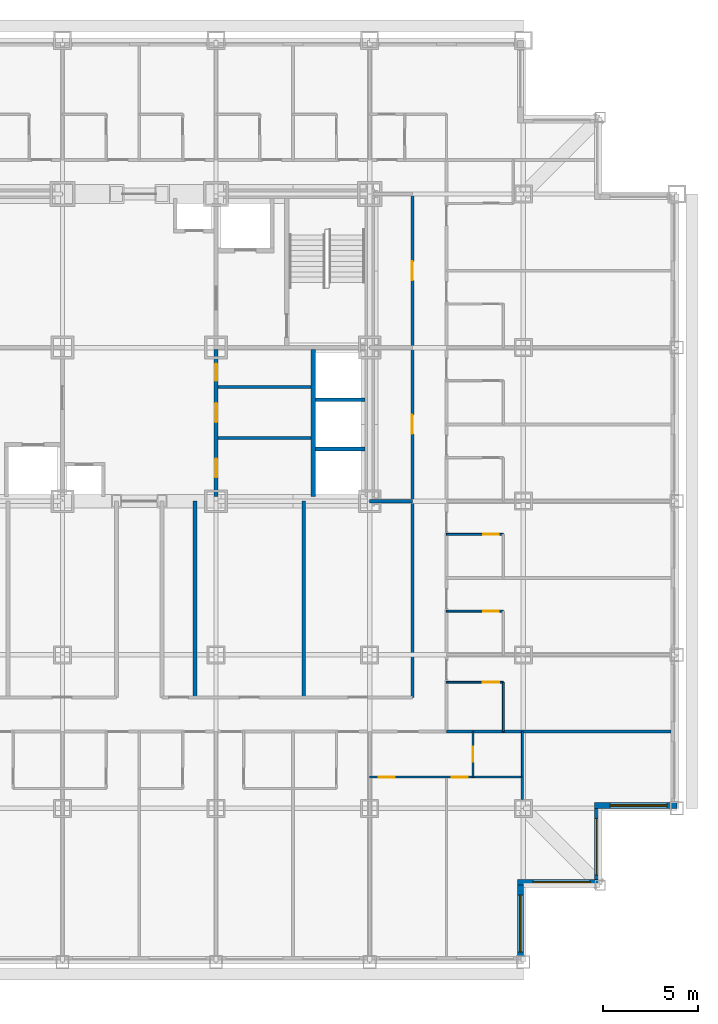
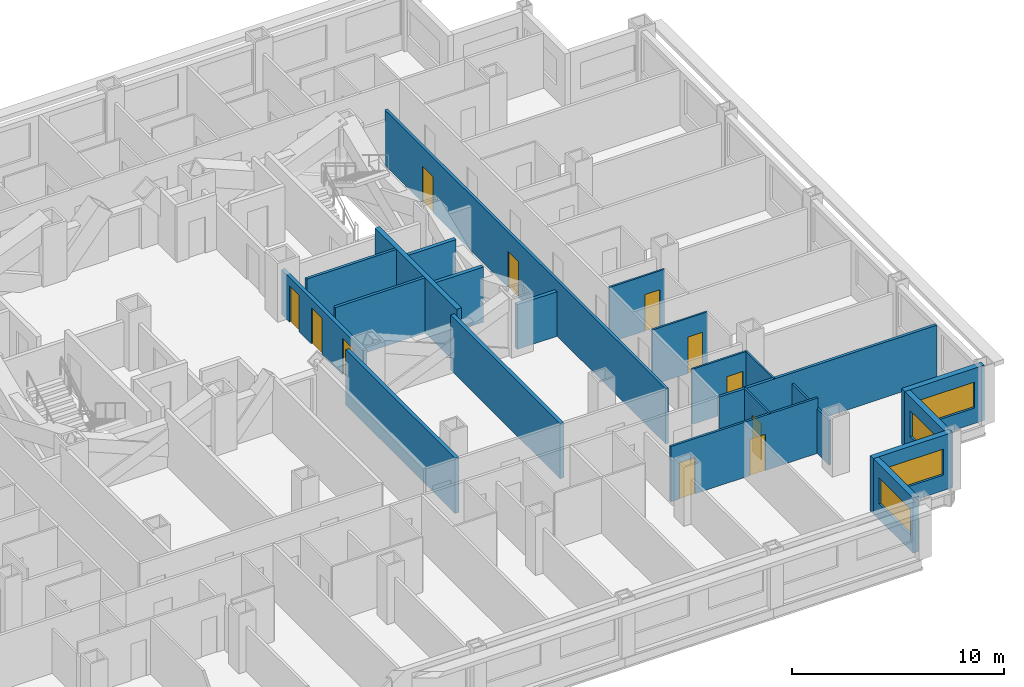
# One storey, part 6 of 11: 23 walls, 11 doors, 4 windows, 15 openings.
"""IFC4 building model written with IfcOpenShell, lengths in metres."""

from ifc_helpers import new_model, si_unit, direction, frame, frame_2d, origin, place, context, subcontext, project, spatial, rectangle, extrude, material, layer, layer_set, type_object, element, fill, save


model = new_model("IFC4")

# Units and contexts
model_context = context("Model", 3, precision=1e-05, world=origin(), true_north=direction((0.0, 1.0)))
body_context = subcontext(model_context, "Body", "Model", "MODEL_VIEW")
ifc_project = project(units=[si_unit("LENGTHUNIT", "METRE"), si_unit("AREAUNIT", "SQUARE_METRE"), si_unit("VOLUMEUNIT", "CUBIC_METRE"), si_unit("PLANEANGLEUNIT", "RADIAN"), si_unit("MASSUNIT", "GRAM", prefix="KILO")], contexts=[model_context])

# Site, building, storey
site_placement = place(None, origin())
site = spatial("IfcSite", under=ifc_project, at=site_placement, CompositionType="ELEMENT")
building_placement = place(site_placement, origin())
building = spatial("IfcBuilding", under=site, at=building_placement, Name="Kopane Lantern Tower", CompositionType="ELEMENT")
storey_placement = place(building_placement, frame((0.0, 0.0, 56.800048828125)))
storey = spatial("IfcBuildingStorey", under=building, at=storey_placement, Name="L13", CompositionType="ELEMENT", Elevation=56.800048828125)

# Wall, openings, doors
ifc_material_1 = material(Name="Gypsum board on steel studs", Category="steel")
ifc_layer_1 = layer(ifc_material_1, 0.1201171875)
ifc_layer_set_1 = layer_set([ifc_layer_1], Name="APARTMENT INTERNAL WALL 120")
wall_type_1 = type_object("IfcWallType", Name="APARTMENT INTERNAL WALL 120", PredefinedType="PARTITIONING", material=ifc_layer_set_1)
wall_1_placement = place(storey_placement, frame((40.5, 9.75, 0.0), z_axis=(0.0, 0.0, 1.0), x_axis=(1.0, 0.0, 0.0)))
wall_1 = element("IfcWall", 1, at=wall_1_placement, inside=storey, type_object=wall_type_1, Name="Apartment Internal Wall 120 L13", PredefinedType="PARTITIONING", context=body_context, shape_type="SweptSolid", body=[
    extrude(rectangle(XDim=8.050048828125, YDim=0.1201171875, at=frame_2d((4.02490234375, 0.0))), origin(), (0.0, 0.0, 1.0), 3.18994140625),
])
opening_1_placement = place(wall_1_placement, frame((0.47509765625, 0.0, 0.0)))
opening_1 = element("IfcOpeningElement", 2, at=opening_1_placement, cuts=wall_1, Name="Opening L13-067", PredefinedType="OPENING", context=body_context, shape_type="SweptSolid", body=[
    extrude(rectangle(XDim=0.85009765625, YDim=2.10009765625, at=frame_2d((0.425048828125, 1.050048828125))), frame((0.0, 0.070068359375, 0.0), z_axis=(0.0, -1.0, 0.0), x_axis=(1.0, 0.0, 0.0)), (0.0, 0.0, 1.0), 0.14013671875),
])
opening_2_placement = place(wall_1_placement, frame((4.324951171875, 0.0, 0.0)))
opening_2 = element("IfcOpeningElement", 3, at=opening_2_placement, cuts=wall_1, Name="Opening L13-069", PredefinedType="OPENING", context=body_context, shape_type="SweptSolid", body=[
    extrude(rectangle(XDim=0.85009765625, YDim=2.10009765625, at=frame_2d((0.425048828125, 1.050048828125))), frame((0.0, 0.070068359375, 0.0), z_axis=(0.0, -1.0, 0.0), x_axis=(1.0, 0.0, 0.0)), (0.0, 0.0, 1.0), 0.14013671875),
])
ifc_material_2 = material(Name="Timber door set", Category="wood")
door_type_1 = type_object("IfcDoorType", Name="DOOR D4 850x2100", OperationType="SINGLE_SWING_LEFT", PredefinedType="DOOR", material=ifc_material_2)
door_1_placement = place(opening_1_placement, origin())
door_1 = element("IfcDoor", 4, at=door_1_placement, inside=storey, type_object=door_type_1, Name="Door L13-067", OperationType="SINGLE_SWING_LEFT", OverallHeight=2.10009765625, OverallWidth=0.85009765625, PredefinedType="DOOR", context=body_context, shape_type="SweptSolid", body=[
    extrude(rectangle(XDim=0.85009765625, YDim=2.10009765625, at=frame_2d((0.425048828125, 1.050048828125))), frame((0.0, 0.02490234375, 0.0), z_axis=(0.0, -1.0, 0.0), x_axis=(1.0, 0.0, 0.0)), (0.0, 0.0, 1.0), 0.050048828125),
])
fill(opening_1, door_1)
door_2_placement = place(opening_2_placement, origin())
door_2 = element("IfcDoor", 5, at=door_2_placement, inside=storey, type_object=door_type_1, Name="Door L13-069", OperationType="SINGLE_SWING_RIGHT", OverallHeight=2.10009765625, OverallWidth=0.85009765625, PredefinedType="DOOR", context=body_context, shape_type="SweptSolid", body=[
    extrude(rectangle(XDim=0.85009765625, YDim=2.10009765625, at=frame_2d((0.425048828125, 1.050048828125))), frame((0.0, 0.02490234375, 0.0), z_axis=(0.0, -1.0, 0.0), x_axis=(1.0, 0.0, 0.0)), (0.0, 0.0, 1.0), 0.050048828125),
])
fill(opening_2, door_2)

# Walls
wall_2_placement = place(storey_placement, frame((48.550048828125, 9.75, 0.0), z_axis=(0.0, 0.0, 1.0), x_axis=(0.0, -1.0, 0.0)))
element("IfcWall", 6, at=wall_2_placement, inside=storey, type_object=wall_type_1, Name="Apartment Internal Wall 120 L13", PredefinedType="PARTITIONING", context=body_context, shape_type="SweptSolid", body=[
    extrude(rectangle(XDim=1.175048828125, YDim=0.1201171875, at=frame_2d((0.58740234375, 0.0))), origin(), (0.0, 0.0, 1.0), 2.57763671875),
])
ifc_material_3 = material(Name="Moisture-resistant board on steel studs", Category="steel")
ifc_layer_2 = layer(ifc_material_3, 0.10009765625)
ifc_layer_set_2 = layer_set([ifc_layer_2], Name="BATHROOM WALL 100")
wall_type_2 = type_object("IfcWallType", Name="BATHROOM WALL 100", PredefinedType="PARTITIONING", material=ifc_layer_set_2)
wall_3_placement = place(storey_placement, frame((47.550048828125, 12.14990234375, 0.0), z_axis=(0.0, 0.0, 1.0), x_axis=(0.0, 1.0, 0.0)))
element("IfcWall", 7, at=wall_3_placement, inside=storey, type_object=wall_type_2, Name="Bathroom Wall 100 L13", PredefinedType="PARTITIONING", context=body_context, shape_type="SweptSolid", body=[
    extrude(rectangle(XDim=2.60009765625, YDim=0.10009765625, at=frame_2d((1.300048828125, 0.0))), origin(), (0.0, 0.0, 1.0), 3.18994140625),
])

# Wall, opening, door
wall_4_placement = place(storey_placement, frame((44.550048828125, 14.75, 0.0), z_axis=(0.0, 0.0, 1.0), x_axis=(1.0, 0.0, 0.0)))
wall_4 = element("IfcWall", 8, at=wall_4_placement, inside=storey, type_object=wall_type_2, Name="Bathroom Wall 100 L13", PredefinedType="PARTITIONING", context=body_context, shape_type="SweptSolid", body=[
    extrude(rectangle(XDim=3.0, YDim=0.10009765625, at=frame_2d((1.5, 0.0))), origin(), (0.0, 0.0, 1.0), 3.18994140625),
])
opening_3_placement = place(wall_4_placement, frame((1.925048828125, 0.0, 0.0)))
opening_3 = element("IfcOpeningElement", 9, at=opening_3_placement, cuts=wall_4, Name="Opening L13-048", PredefinedType="OPENING", context=body_context, shape_type="SweptSolid", body=[
    extrude(rectangle(XDim=0.85009765625, YDim=2.10009765625, at=frame_2d((0.425048828125, 1.050048828125))), frame((0.0, 0.06005859375, 0.0), z_axis=(0.0, -1.0, 0.0), x_axis=(1.0, 0.0, 0.0)), (0.0, 0.0, 1.0), 0.1201171875),
])
door_3_placement = place(opening_3_placement, origin())
door_3 = element("IfcDoor", 10, at=door_3_placement, inside=storey, type_object=door_type_1, Name="Door L13-048", OperationType="SINGLE_SWING_LEFT", OverallHeight=2.10009765625, OverallWidth=0.85009765625, PredefinedType="DOOR", context=body_context, shape_type="SweptSolid", body=[
    extrude(rectangle(XDim=0.85009765625, YDim=2.10009765625, at=frame_2d((0.425048828125, 1.050048828125))), frame((0.0, 0.02490234375, 0.0), z_axis=(0.0, -1.0, 0.0), x_axis=(1.0, 0.0, 0.0)), (0.0, 0.0, 1.0), 0.050048828125),
])
fill(opening_3, door_3)

wall_5_placement = place(storey_placement, frame((44.550048828125, 18.5, 0.0), z_axis=(0.0, 0.0, 1.0), x_axis=(1.0, 0.0, 0.0)))
wall_5 = element("IfcWall", 11, at=wall_5_placement, inside=storey, type_object=wall_type_2, Name="Bathroom Wall 100 L13", PredefinedType="PARTITIONING", context=body_context, shape_type="SweptSolid", body=[
    extrude(rectangle(XDim=3.0, YDim=0.10009765625, at=frame_2d((1.5, 0.0))), origin(), (0.0, 0.0, 1.0), 3.18994140625),
])
opening_4_placement = place(wall_5_placement, frame((1.949951171875, 0.0, 0.0)))
opening_4 = element("IfcOpeningElement", 12, at=opening_4_placement, cuts=wall_5, Name="Opening L13-050", PredefinedType="OPENING", context=body_context, shape_type="SweptSolid", body=[
    extrude(rectangle(XDim=0.800048828125, YDim=2.10009765625, at=frame_2d((0.39990234375, 1.050048828125))), frame((0.0, 0.06005859375, 0.0), z_axis=(0.0, -1.0, 0.0), x_axis=(1.0, 0.0, 0.0)), (0.0, 0.0, 1.0), 0.1201171875),
])
ifc_material_4 = material(Name="Timber door set", Category="wood")
door_type_2 = type_object("IfcDoorType", Name="DOOR D2 800x2100", OperationType="SINGLE_SWING_LEFT", PredefinedType="DOOR", material=ifc_material_4)
door_4_placement = place(opening_4_placement, origin())
door_4 = element("IfcDoor", 13, at=door_4_placement, inside=storey, type_object=door_type_2, Name="Door L13-050", OperationType="SINGLE_SWING_LEFT", OverallHeight=2.10009765625, OverallWidth=0.800048828125, PredefinedType="DOOR", context=body_context, shape_type="SweptSolid", body=[
    extrude(rectangle(XDim=0.800048828125, YDim=2.10009765625, at=frame_2d((0.39990234375, 1.050048828125))), frame((0.0, 0.02490234375, 0.0), z_axis=(0.0, -1.0, 0.0), x_axis=(1.0, 0.0, 0.0)), (0.0, 0.0, 1.0), 0.050048828125),
])
fill(opening_4, door_4)

wall_6_placement = place(storey_placement, frame((44.550048828125, 22.550048828125, 0.0), z_axis=(0.0, 0.0, 1.0), x_axis=(1.0, 0.0, 0.0)))
wall_6 = element("IfcWall", 14, at=wall_6_placement, inside=storey, type_object=wall_type_2, Name="Bathroom Wall 100 L13", PredefinedType="PARTITIONING", context=body_context, shape_type="SweptSolid", body=[
    extrude(rectangle(XDim=3.0, YDim=0.10009765625, at=frame_2d((1.5, 0.0))), origin(), (0.0, 0.0, 1.0), 3.18994140625),
])
opening_5_placement = place(wall_6_placement, frame((1.949951171875, 0.0, 0.0)))
opening_5 = element("IfcOpeningElement", 15, at=opening_5_placement, cuts=wall_6, Name="Opening L13-052", PredefinedType="OPENING", context=body_context, shape_type="SweptSolid", body=[
    extrude(rectangle(XDim=0.800048828125, YDim=2.10009765625, at=frame_2d((0.39990234375, 1.050048828125))), frame((0.0, 0.06005859375, 0.0), z_axis=(0.0, -1.0, 0.0), x_axis=(1.0, 0.0, 0.0)), (0.0, 0.0, 1.0), 0.1201171875),
])
door_5_placement = place(opening_5_placement, origin())
door_5 = element("IfcDoor", 16, at=door_5_placement, inside=storey, type_object=door_type_2, Name="Door L13-052", OperationType="SINGLE_SWING_LEFT", OverallHeight=2.10009765625, OverallWidth=0.800048828125, PredefinedType="DOOR", context=body_context, shape_type="SweptSolid", body=[
    extrude(rectangle(XDim=0.800048828125, YDim=2.10009765625, at=frame_2d((0.39990234375, 1.050048828125))), frame((0.0, 0.02490234375, 0.0), z_axis=(0.0, -1.0, 0.0), x_axis=(1.0, 0.0, 0.0)), (0.0, 0.0, 1.0), 0.050048828125),
])
fill(opening_5, door_5)

wall_7_placement = place(storey_placement, frame((45.949951171875, 12.14990234375, 0.0), z_axis=(0.0, 0.0, 1.0), x_axis=(0.0, -1.0, 0.0)))
wall_7 = element("IfcWall", 17, at=wall_7_placement, inside=storey, type_object=wall_type_2, Name="Bathroom Wall 100 L13", PredefinedType="PARTITIONING", context=body_context, shape_type="SweptSolid", body=[
    extrude(rectangle(XDim=2.39990234375, YDim=0.10009765625, at=frame_2d((1.199951171875, 0.0))), origin(), (0.0, 0.0, 1.0), 3.18994140625),
])
opening_6_placement = place(wall_7_placement, frame((0.800048828125, 0.0, 0.0)))
opening_6 = element("IfcOpeningElement", 18, at=opening_6_placement, cuts=wall_7, Name="Opening L13-068", PredefinedType="OPENING", context=body_context, shape_type="SweptSolid", body=[
    extrude(rectangle(XDim=0.800048828125, YDim=2.10009765625, at=frame_2d((0.39990234375, 1.050048828125))), frame((0.0, 0.06005859375, 0.0), z_axis=(0.0, -1.0, 0.0), x_axis=(1.0, 0.0, 0.0)), (0.0, 0.0, 1.0), 0.1201171875),
])
door_6_placement = place(opening_6_placement, origin())
door_6 = element("IfcDoor", 19, at=door_6_placement, inside=storey, type_object=door_type_2, Name="Door L13-068", OperationType="SINGLE_SWING_LEFT", OverallHeight=2.10009765625, OverallWidth=0.800048828125, PredefinedType="DOOR", context=body_context, shape_type="SweptSolid", body=[
    extrude(rectangle(XDim=0.800048828125, YDim=2.10009765625, at=frame_2d((0.39990234375, 1.050048828125))), frame((0.0, 0.02490234375, 0.0), z_axis=(0.0, -1.0, 0.0), x_axis=(1.0, 0.0, 0.0)), (0.0, 0.0, 1.0), 0.050048828125),
])
fill(opening_6, door_6)

# Walls
wall_8_placement = place(storey_placement, frame((48.550048828125, 12.14990234375, 0.0), z_axis=(0.0, 0.0, 1.0), x_axis=(0.0, -1.0, 0.0)))
element("IfcWall", 20, at=wall_8_placement, inside=storey, type_object=wall_type_2, Name="Bathroom Wall 100 L13", PredefinedType="PARTITIONING", context=body_context, shape_type="SweptSolid", body=[
    extrude(rectangle(XDim=2.39990234375, YDim=0.10009765625, at=frame_2d((1.199951171875, 0.0))), origin(), (0.0, 0.0, 1.0), 2.57763671875),
])
ifc_material_5 = material(Name="Gypsum partition EI 60", Category="gypsum")
ifc_layer_3 = layer(ifc_material_5, 0.14990234375)
ifc_layer_set_3 = layer_set([ifc_layer_3], Name="CORE ROOM PARTITION 150 EI 60")
wall_type_3 = type_object("IfcWallType", Name="CORE ROOM PARTITION 150 EI 60", PredefinedType="PARTITIONING", material=ifc_layer_set_3)
for number, where, z_axis, x_axis, name in (
    (21, (32.5, 27.625, 0.0), (0.0, 0.0, 1.0), (1.0, 0.0, 0.0), "Core room partition L13 E1"),
    (22, (32.5, 30.324951171875, 0.0), (0.0, 0.0, 1.0), (1.0, 0.0, 0.0), "Core room partition L13 E2"),
):
    element("IfcWall", number, at=place(storey_placement, frame(where, z_axis=z_axis, x_axis=x_axis)), inside=storey, type_object=wall_type_3, Name=name, PredefinedType="PARTITIONING", context=body_context, shape_type="SweptSolid", body=[
        extrude(rectangle(XDim=4.89990234375, YDim=0.14990234375, at=frame_2d((2.449951171875, 0.0))), origin(), (0.0, 0.0, 1.0), 3.18994140625),
    ])

# Wall, openings, doors
ifc_material_6 = material(Name="Gypsum partition EI 60", Category="gypsum")
ifc_layer_4 = layer(ifc_material_6, 0.199951171875)
ifc_layer_set_4 = layer_set([ifc_layer_4], Name="CORE ROOM WALL 200 EI 60")
wall_type_4 = type_object("IfcWallType", Name="CORE ROOM WALL 200 EI 60", PredefinedType="PARTITIONING", material=ifc_layer_set_4)
wall_9_placement = place(storey_placement, frame((32.39990234375, 24.550048828125, 0.0), z_axis=(0.0, 0.0, 1.0), x_axis=(0.0, 1.0, 0.0)))
wall_9 = element("IfcWall", 23, at=wall_9_placement, inside=storey, type_object=wall_type_4, Name="Core room wall L13 XE", PredefinedType="PARTITIONING", context=body_context, shape_type="SweptSolid", body=[
    extrude(rectangle(XDim=7.75, YDim=0.199951171875, at=frame_2d((3.875, 0.0))), origin(), (0.0, 0.0, 1.0), 2.57763671875),
])
opening_7_placement = place(wall_9_placement, frame((1.0, 0.0, 0.0)))
opening_7 = element("IfcOpeningElement", 24, at=opening_7_placement, cuts=wall_9, Name="Opening 13.C20", PredefinedType="OPENING", context=body_context, shape_type="SweptSolid", body=[
    extrude(rectangle(XDim=1.0, YDim=2.10009765625, at=frame_2d((0.5, 1.050048828125))), frame((0.0, 0.10986328125, 0.0), z_axis=(0.0, -1.0, 0.0), x_axis=(1.0, 0.0, 0.0)), (0.0, 0.0, 1.0), 0.219970703125),
])
opening_8_placement = place(wall_9_placement, frame((3.925048828125, 0.0, 0.0)))
opening_8 = element("IfcOpeningElement", 25, at=opening_8_placement, cuts=wall_9, Name="Opening 13.C21", PredefinedType="OPENING", context=body_context, shape_type="SweptSolid", body=[
    extrude(rectangle(XDim=1.0, YDim=2.10009765625, at=frame_2d((0.5, 1.050048828125))), frame((0.0, 0.10986328125, 0.0), z_axis=(0.0, -1.0, 0.0), x_axis=(1.0, 0.0, 0.0)), (0.0, 0.0, 1.0), 0.219970703125),
])
opening_9_placement = place(wall_9_placement, frame((6.10009765625, 0.0, 0.0)))
opening_9 = element("IfcOpeningElement", 26, at=opening_9_placement, cuts=wall_9, Name="Opening 13.C22", PredefinedType="OPENING", context=body_context, shape_type="SweptSolid", body=[
    extrude(rectangle(XDim=0.89990234375, YDim=2.10009765625, at=frame_2d((0.449951171875, 1.050048828125))), frame((0.0, 0.10986328125, 0.0), z_axis=(0.0, -1.0, 0.0), x_axis=(1.0, 0.0, 0.0)), (0.0, 0.0, 1.0), 0.219970703125),
])
ifc_material_7 = material(Name="Steel door set", Category="steel")
door_type_3 = type_object("IfcDoorType", Name="CORE ROOM DOOR 1000x2100 FD30S", OperationType="SINGLE_SWING_RIGHT", PredefinedType="DOOR", material=ifc_material_7)
door_7_placement = place(opening_7_placement, origin())
door_7 = element("IfcDoor", 27, at=door_7_placement, inside=storey, type_object=door_type_3, Name="Door Guest pantry L13", OperationType="SINGLE_SWING_LEFT", OverallHeight=2.10009765625, OverallWidth=1.0, PredefinedType="DOOR", context=body_context, shape_type="SweptSolid", body=[
    extrude(rectangle(XDim=1.0, YDim=2.10009765625, at=frame_2d((0.5, 1.050048828125))), frame((0.0, 0.02490234375, 0.0), z_axis=(0.0, -1.0, 0.0), x_axis=(1.0, 0.0, 0.0)), (0.0, 0.0, 1.0), 0.050048828125),
])
fill(opening_7, door_7)
door_8_placement = place(opening_8_placement, origin())
door_8 = element("IfcDoor", 28, at=door_8_placement, inside=storey, type_object=door_type_3, Name="Door Ice and vending room L13", OperationType="SINGLE_SWING_LEFT", OverallHeight=2.10009765625, OverallWidth=1.0, PredefinedType="DOOR", context=body_context, shape_type="SweptSolid", body=[
    extrude(rectangle(XDim=1.0, YDim=2.10009765625, at=frame_2d((0.5, 1.050048828125))), frame((0.0, 0.02490234375, 0.0), z_axis=(0.0, -1.0, 0.0), x_axis=(1.0, 0.0, 0.0)), (0.0, 0.0, 1.0), 0.050048828125),
])
fill(opening_8, door_8)
ifc_material_8 = material(Name="Steel door set", Category="steel")
door_type_4 = type_object("IfcDoorType", Name="CORE ROOM DOOR 900x2100 FD60", OperationType="SINGLE_SWING_LEFT", PredefinedType="DOOR", material=ifc_material_8)
door_9_placement = place(opening_9_placement, origin())
door_9 = element("IfcDoor", 29, at=door_9_placement, inside=storey, type_object=door_type_4, Name="Door IT room L13", OperationType="SINGLE_SWING_RIGHT", OverallHeight=2.10009765625, OverallWidth=0.89990234375, PredefinedType="DOOR", context=body_context, shape_type="SweptSolid", body=[
    extrude(rectangle(XDim=0.89990234375, YDim=2.10009765625, at=frame_2d((0.449951171875, 1.050048828125))), frame((0.0, 0.02490234375, 0.0), z_axis=(0.0, -1.0, 0.0), x_axis=(1.0, 0.0, 0.0)), (0.0, 0.0, 1.0), 0.050048828125),
])
fill(opening_9, door_9)

# Wall
ifc_material_9 = material(Name="Gypsum shaft wall EI 120", Category="gypsum")
ifc_layer_5 = layer(ifc_material_9, 0.25)
ifc_layer_set_5 = layer_set([ifc_layer_5], Name="CORE SHAFT WALL 250 EI 120")
wall_type_5 = type_object("IfcWallType", Name="CORE SHAFT WALL 250 EI 120", PredefinedType="SOLIDWALL", material=ifc_layer_set_5)
wall_10_placement = place(storey_placement, frame((37.52490234375, 24.550048828125, 0.0), z_axis=(0.0, 0.0, 1.0), x_axis=(0.0, 1.0, 0.0)))
element("IfcWall", 30, at=wall_10_placement, inside=storey, type_object=wall_type_5, Name="Core shaft wall L13 XLR", PredefinedType="SOLIDWALL", context=body_context, shape_type="SweptSolid", body=[
    extrude(rectangle(XDim=7.75, YDim=0.25, at=frame_2d((3.875, 0.0))), origin(), (0.0, 0.0, 1.0), 3.18994140625),
])

# Wall, openings, doors
ifc_material_10 = material(Name="Gypsum board on steel studs", Category="steel")
ifc_layer_6 = layer(ifc_material_10, 0.14990234375)
ifc_layer_set_6 = layer_set([ifc_layer_6], Name="CORRIDOR WALL 150 EI 60")
wall_type_6 = type_object("IfcWallType", Name="CORRIDOR WALL 150 EI 60", PredefinedType="PARTITIONING", material=ifc_layer_set_6)
wall_11_placement = place(storey_placement, frame((42.75, 13.949951171875, 0.0), z_axis=(0.0, 0.0, 1.0), x_axis=(0.0, 1.0, 0.0)))
wall_11 = element("IfcWall", 31, at=wall_11_placement, inside=storey, type_object=wall_type_6, Name="Corridor Wall 150 Ei 60 L13", PredefinedType="PARTITIONING", context=body_context, shape_type="SweptSolid", body=[
    extrude(rectangle(XDim=26.550048828125, YDim=0.14990234375, at=frame_2d((13.27490234375, 0.0))), origin(), (0.0, 0.0, 1.0), 3.18994140625),
])
opening_10_placement = place(wall_11_placement, frame((13.89990234375, 0.0, 0.0)))
opening_10 = element("IfcOpeningElement", 32, at=opening_10_placement, cuts=wall_11, Name="Opening L13-003", PredefinedType="OPENING", context=body_context, shape_type="SweptSolid", body=[
    extrude(rectangle(XDim=1.0, YDim=2.10009765625, at=frame_2d((0.5, 1.050048828125))), frame((0.0, 0.0849609375, 0.0), z_axis=(0.0, -1.0, 0.0), x_axis=(1.0, 0.0, 0.0)), (0.0, 0.0, 1.0), 0.169921875),
])
opening_11_placement = place(wall_11_placement, frame((22.0, 0.0, 0.0)))
opening_11 = element("IfcOpeningElement", 33, at=opening_11_placement, cuts=wall_11, Name="Opening L13-004", PredefinedType="OPENING", context=body_context, shape_type="SweptSolid", body=[
    extrude(rectangle(XDim=1.0, YDim=2.10009765625, at=frame_2d((0.5, 1.050048828125))), frame((0.0, 0.0849609375, 0.0), z_axis=(0.0, -1.0, 0.0), x_axis=(1.0, 0.0, 0.0)), (0.0, 0.0, 1.0), 0.169921875),
])
ifc_material_11 = material(Name="Steel door set", Category="steel")
door_type_5 = type_object("IfcDoorType", Name="DOOR D5 1000x2100 FD60", OperationType="SINGLE_SWING_LEFT", PredefinedType="DOOR", material=ifc_material_11)
door_10_placement = place(opening_10_placement, origin())
door_10 = element("IfcDoor", 34, at=door_10_placement, inside=storey, type_object=door_type_5, Name="Door L13-003", OperationType="SINGLE_SWING_LEFT", OverallHeight=2.10009765625, OverallWidth=1.0, PredefinedType="DOOR", context=body_context, shape_type="SweptSolid", body=[
    extrude(rectangle(XDim=1.0, YDim=2.10009765625, at=frame_2d((0.5, 1.050048828125))), frame((0.0, 0.02490234375, 0.0), z_axis=(0.0, -1.0, 0.0), x_axis=(1.0, 0.0, 0.0)), (0.0, 0.0, 1.0), 0.050048828125),
])
fill(opening_10, door_10)
door_11_placement = place(opening_11_placement, origin())
door_11 = element("IfcDoor", 35, at=door_11_placement, inside=storey, type_object=door_type_5, Name="Door L13-004", OperationType="SINGLE_SWING_RIGHT", OverallHeight=2.10009765625, OverallWidth=1.0, PredefinedType="DOOR", context=body_context, shape_type="SweptSolid", body=[
    extrude(rectangle(XDim=1.0, YDim=2.10009765625, at=frame_2d((0.5, 1.050048828125))), frame((0.0, 0.02490234375, 0.0), z_axis=(0.0, -1.0, 0.0), x_axis=(1.0, 0.0, 0.0)), (0.0, 0.0, 1.0), 0.050048828125),
])
fill(opening_11, door_11)

# Wall
ifc_material_12 = material(Name="Gypsum board on steel studs", Category="steel")
ifc_layer_7 = layer(ifc_material_12, 0.14990234375)
ifc_layer_set_7 = layer_set([ifc_layer_7], Name="DEMISING WALL 150 EI 60")
wall_type_7 = type_object("IfcWallType", Name="DEMISING WALL 150 EI 60", PredefinedType="PARTITIONING", material=ifc_layer_set_7)
wall_12_placement = place(storey_placement, frame((44.550048828125, 12.14990234375, 0.0), z_axis=(0.0, 0.0, 1.0), x_axis=(1.0, 0.0, 0.0)))
element("IfcWall", 36, at=wall_12_placement, inside=storey, type_object=wall_type_7, Name="Demising Wall 150 Ei 60 L13", PredefinedType="PARTITIONING", context=body_context, shape_type="SweptSolid", body=[
    extrude(rectangle(XDim=11.849853515625, YDim=0.14990234375, at=frame_2d((5.9248046875, 0.0))), origin(), (0.0, 0.0, 1.0), 3.18994140625),
])

# Wall, opening, window
ifc_material_13 = material(Name="Terracotta rainscreen on light steel framing", Category="masonry")
ifc_layer_8 = layer(ifc_material_13, 0.300048828125)
ifc_layer_set_8 = layer_set([ifc_layer_8], Name="EXTERNAL WALL EW1 300 TERRACOTTA")
wall_type_8 = type_object("IfcWallType", Name="EXTERNAL WALL EW1 300 TERRACOTTA", PredefinedType="SOLIDWALL", material=ifc_layer_set_8)
wall_13_placement = place(storey_placement, frame((48.449951171875, 0.300048828125, 0.0), z_axis=(0.0, 0.0, 1.0), x_axis=(0.0, 1.0, 0.0)))
wall_13 = element("IfcWall", 37, at=wall_13_placement, inside=storey, type_object=wall_type_8, Name="External wall E L13", PredefinedType="SOLIDWALL", context=body_context, shape_type="SweptSolid", body=[
    extrude(rectangle(XDim=3.75, YDim=0.300048828125, at=frame_2d((1.875, 0.0))), origin(), (0.0, 0.0, 1.0), 3.18994140625),
])
opening_12_placement = place(wall_13_placement, frame((0.22509765625, 0.0, 0.89990234375)))
opening_12 = element("IfcOpeningElement", 38, at=opening_12_placement, cuts=wall_13, Name="Opening WR300150", PredefinedType="OPENING", context=body_context, shape_type="SweptSolid", body=[
    extrude(rectangle(XDim=3.0, YDim=1.5, at=frame_2d((1.5, 0.75))), frame((0.0, 0.159912109375, 0.0), z_axis=(0.0, -1.0, 0.0), x_axis=(1.0, 0.0, 0.0)), (0.0, 0.0, 1.0), 0.320068359375),
])
ifc_material_14 = material(Name="Aluminium and clear glass", Category="aluminium")
window_type = type_object("IfcWindowType", Name="RIBBON WINDOW WR300150 3000x1500", PartitioningType="SINGLE_PANEL", PredefinedType="WINDOW", material=ifc_material_14)
window_1_placement = place(opening_12_placement, origin())
window_1 = element("IfcWindow", 39, at=window_1_placement, inside=storey, type_object=window_type, Name="Window E L13", OverallHeight=1.5, OverallWidth=3.0, PartitioningType="SINGLE_PANEL", PredefinedType="WINDOW", context=body_context, shape_type="SweptSolid", body=[
    extrude(rectangle(XDim=3.0, YDim=1.5, at=frame_2d((1.5, 0.75))), frame((0.0, 0.030029296875, 0.0), z_axis=(0.0, -1.0, 0.0), x_axis=(1.0, 0.0, 0.0)), (0.0, 0.0, 1.0), 0.06005859375),
])
fill(opening_12, window_1)

wall_14_placement = place(storey_placement, frame((48.300048828125, 4.199951171875, 0.0), z_axis=(0.0, 0.0, 1.0), x_axis=(1.0, 0.0, 0.0)))
wall_14 = element("IfcWall", 40, at=wall_14_placement, inside=storey, type_object=wall_type_8, Name="External wall S L13", PredefinedType="SOLIDWALL", context=body_context, shape_type="SweptSolid", body=[
    extrude(rectangle(XDim=4.349853515625, YDim=0.300048828125, at=frame_2d((2.1748046875, 0.0))), origin(), (0.0, 0.0, 1.0), 3.18994140625),
])
opening_13_placement = place(wall_14_placement, frame((0.824951171875, 0.0, 0.89990234375)))
opening_13 = element("IfcOpeningElement", 41, at=opening_13_placement, cuts=wall_14, Name="Opening WR300150", PredefinedType="OPENING", context=body_context, shape_type="SweptSolid", body=[
    extrude(rectangle(XDim=3.0, YDim=1.5, at=frame_2d((1.5, 0.75))), frame((0.0, 0.159912109375, 0.0), z_axis=(0.0, -1.0, 0.0), x_axis=(1.0, 0.0, 0.0)), (0.0, 0.0, 1.0), 0.320068359375),
])
window_2_placement = place(opening_13_placement, origin())
window_2 = element("IfcWindow", 42, at=window_2_placement, inside=storey, type_object=window_type, Name="Window S L13", OverallHeight=1.5, OverallWidth=3.0, PartitioningType="SINGLE_PANEL", PredefinedType="WINDOW", context=body_context, shape_type="SweptSolid", body=[
    extrude(rectangle(XDim=3.0, YDim=1.5, at=frame_2d((1.5, 0.75))), frame((0.0, 0.030029296875, 0.0), z_axis=(0.0, -1.0, 0.0), x_axis=(1.0, 0.0, 0.0)), (0.0, 0.0, 1.0), 0.06005859375),
])
fill(opening_13, window_2)

wall_15_placement = place(storey_placement, frame((52.5, 4.35009765625, 0.0), z_axis=(0.0, 0.0, 1.0), x_axis=(0.0, 1.0, 0.0)))
wall_15 = element("IfcWall", 43, at=wall_15_placement, inside=storey, type_object=wall_type_8, Name="External wall E L13", PredefinedType="SOLIDWALL", context=body_context, shape_type="SweptSolid", body=[
    extrude(rectangle(XDim=3.75, YDim=0.300048828125, at=frame_2d((1.875, 0.0))), origin(), (0.0, 0.0, 1.0), 3.18994140625),
])
opening_14_placement = place(wall_15_placement, frame((0.22509765625, 0.0, 0.89990234375)))
opening_14 = element("IfcOpeningElement", 44, at=opening_14_placement, cuts=wall_15, Name="Opening WR300150", PredefinedType="OPENING", context=body_context, shape_type="SweptSolid", body=[
    extrude(rectangle(XDim=3.0, YDim=1.5, at=frame_2d((1.5, 0.75))), frame((0.0, 0.159912109375, 0.0), z_axis=(0.0, -1.0, 0.0), x_axis=(1.0, 0.0, 0.0)), (0.0, 0.0, 1.0), 0.320068359375),
])
window_3_placement = place(opening_14_placement, origin())
window_3 = element("IfcWindow", 45, at=window_3_placement, inside=storey, type_object=window_type, Name="Window E L13", OverallHeight=1.5, OverallWidth=3.0, PartitioningType="SINGLE_PANEL", PredefinedType="WINDOW", context=body_context, shape_type="SweptSolid", body=[
    extrude(rectangle(XDim=3.0, YDim=1.5, at=frame_2d((1.5, 0.75))), frame((0.0, 0.030029296875, 0.0), z_axis=(0.0, -1.0, 0.0), x_axis=(1.0, 0.0, 0.0)), (0.0, 0.0, 1.0), 0.06005859375),
])
fill(opening_14, window_3)

wall_16_placement = place(storey_placement, frame((52.35009765625, 8.25, 0.0), z_axis=(0.0, 0.0, 1.0), x_axis=(1.0, 0.0, 0.0)))
wall_16 = element("IfcWall", 46, at=wall_16_placement, inside=storey, type_object=wall_type_8, Name="External wall S L13", PredefinedType="SOLIDWALL", context=body_context, shape_type="SweptSolid", body=[
    extrude(rectangle(XDim=4.349853515625, YDim=0.300048828125, at=frame_2d((2.1748046875, 0.0))), origin(), (0.0, 0.0, 1.0), 3.18994140625),
])
opening_15_placement = place(wall_16_placement, frame((0.824951171875, 0.0, 0.89990234375)))
opening_15 = element("IfcOpeningElement", 47, at=opening_15_placement, cuts=wall_16, Name="Opening WR300150", PredefinedType="OPENING", context=body_context, shape_type="SweptSolid", body=[
    extrude(rectangle(XDim=3.0, YDim=1.5, at=frame_2d((1.5, 0.75))), frame((0.0, 0.159912109375, 0.0), z_axis=(0.0, -1.0, 0.0), x_axis=(1.0, 0.0, 0.0)), (0.0, 0.0, 1.0), 0.320068359375),
])
window_4_placement = place(opening_15_placement, origin())
window_4 = element("IfcWindow", 48, at=window_4_placement, inside=storey, type_object=window_type, Name="Window S L13", OverallHeight=1.5, OverallWidth=3.0, PartitioningType="SINGLE_PANEL", PredefinedType="WINDOW", context=body_context, shape_type="SweptSolid", body=[
    extrude(rectangle(XDim=3.0, YDim=1.5, at=frame_2d((1.5, 0.75))), frame((0.0, 0.030029296875, 0.0), z_axis=(0.0, -1.0, 0.0), x_axis=(1.0, 0.0, 0.0)), (0.0, 0.0, 1.0), 0.06005859375),
])
fill(opening_15, window_4)

# Walls
ifc_material_15 = material(Name="Concrete masonry", Category="masonry")
ifc_layer_9 = layer(ifc_material_15, 0.199951171875)
ifc_layer_set_9 = layer_set([ifc_layer_9], Name="PLANT ROOM WALL 200 EI 120")
wall_type_9 = type_object("IfcWallType", Name="PLANT ROOM WALL 200 EI 120", PredefinedType="SOLIDWALL", material=ifc_layer_set_9)
for number, where, z_axis, x_axis, name in (
    (49, (31.2890625, 13.949951171875, 0.0), (0.0, 0.0, 1.0), (0.0, 1.0, 0.0), "Plant Room Wall 200 Ei 120 L13"),
    (50, (37.01953125, 13.949951171875, 0.0), (0.0, 0.0, 1.0), (0.0, 1.0, 0.0), "Plant Room Wall 200 Ei 120 L13"),
):
    element("IfcWall", number, at=place(storey_placement, frame(where, z_axis=z_axis, x_axis=x_axis)), inside=storey, type_object=wall_type_9, Name=name, PredefinedType="SOLIDWALL", context=body_context, shape_type="SweptSolid", body=[
        extrude(rectangle(XDim=10.35009765625, YDim=0.199951171875, at=frame_2d((5.175048828125, 0.0))), origin(), (0.0, 0.0, 1.0), 3.18994140625),
    ])
wall_17_placement = place(storey_placement, frame((40.5, 24.300048828125, 0.0), z_axis=(0.0, 0.0, 1.0), x_axis=(1.0, 0.0, 0.0)))
element("IfcWall", 51, at=wall_17_placement, inside=storey, type_object=wall_type_9, Name="Plant Room Wall 200 Ei 120 L13", PredefinedType="SOLIDWALL", context=body_context, shape_type="SweptSolid", body=[
    extrude(rectangle(XDim=2.25, YDim=0.199951171875, at=frame_2d((1.125, 0.0))), origin(), (0.0, 0.0, 1.0), 2.57763671875),
])
ifc_material_16 = material(Name="Gypsum shaft wall EI 120", Category="gypsum")
ifc_layer_10 = layer(ifc_material_16, 0.199951171875)
ifc_layer_set_10 = layer_set([ifc_layer_10], Name="SHAFT WALL 200 EI 120")
wall_type_10 = type_object("IfcWallType", Name="SHAFT WALL 200 EI 120", PredefinedType="SOLIDWALL", material=ifc_layer_set_10)
for number, where, z_axis, x_axis, name in (
    (52, (37.64990234375, 27.050048828125, 0.0), (0.0, 0.0, 1.0), (1.0, 0.0, 0.0), "Core shaft wall L13 YLR12"),
    (53, (37.64990234375, 29.64990234375, 0.0), (0.0, 0.0, 1.0), (1.0, 0.0, 0.0), "Core shaft wall L13 YLR23"),
):
    element("IfcWall", number, at=place(storey_placement, frame(where, z_axis=z_axis, x_axis=x_axis)), inside=storey, type_object=wall_type_10, Name=name, PredefinedType="SOLIDWALL", context=body_context, shape_type="SweptSolid", body=[
        extrude(rectangle(XDim=2.60009765625, YDim=0.199951171875, at=frame_2d((1.300048828125, 0.0))), origin(), (0.0, 0.0, 1.0), 3.18994140625),
    ])

save(model, "model.ifc")
